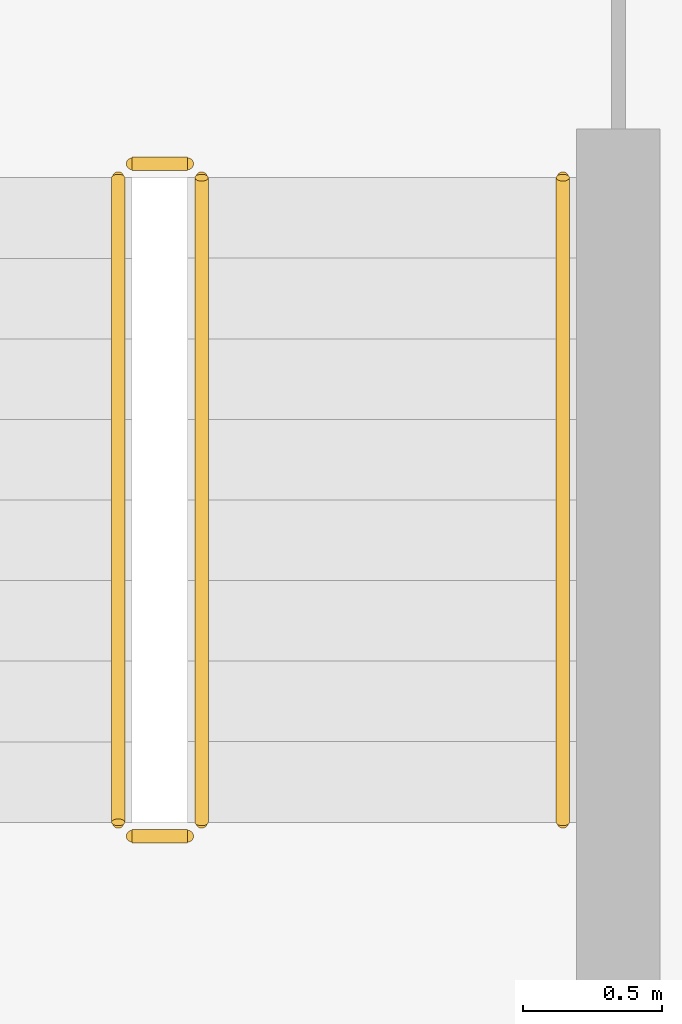
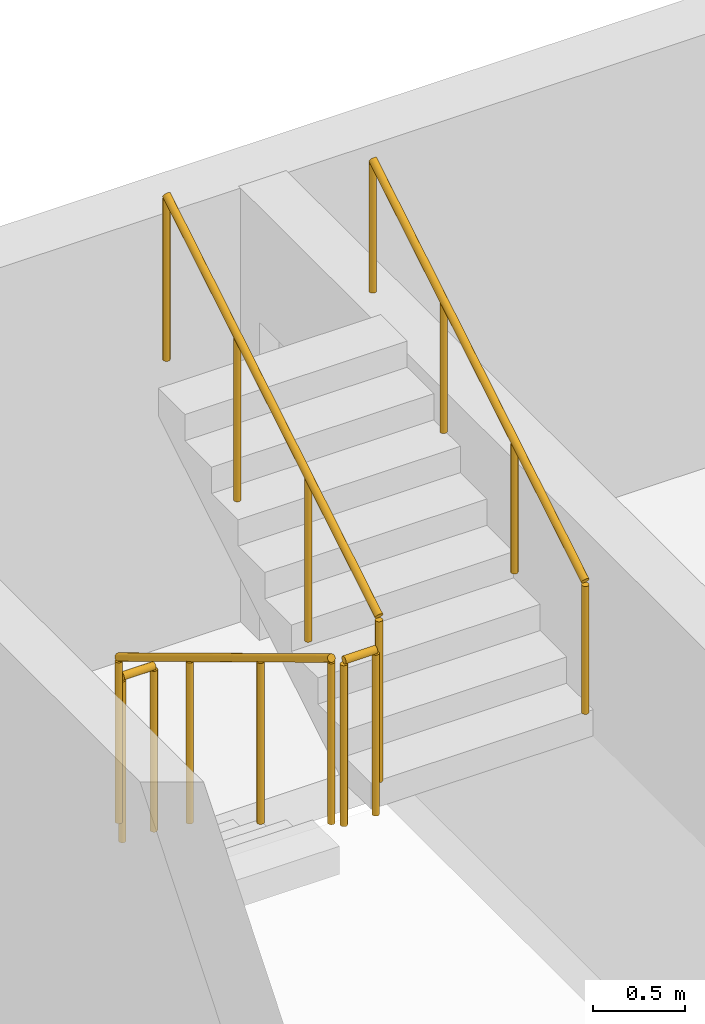
# One storey, part 26 of 28: 5 railings.
"""IFC4 building model written with IfcOpenShell, lengths in metres."""

from ifc_helpers import new_model, si_unit, derived_unit, direction, frame, origin, origin_2d, place, context, subcontext, project, spatial, circle, extrude, material, type_object, element, save


model = new_model("IFC4")

# Units and contexts
model_context = context("Model", 3, precision=1e-05, world=origin(), true_north=direction((0.0, 1.0)))
body_context = subcontext(model_context, "Body", "Model", "MODEL_VIEW")
ifc_project = project(units=[si_unit("LENGTHUNIT", "METRE"), si_unit("AREAUNIT", "SQUARE_METRE"), si_unit("VOLUMEUNIT", "CUBIC_METRE"), si_unit("PLANEANGLEUNIT", "RADIAN"), si_unit("MASSUNIT", "GRAM", prefix="KILO"), derived_unit("THERMALTRANSMITTANCEUNIT", [(si_unit("MASSUNIT", "GRAM", prefix="KILO"), 1), (si_unit("TIMEUNIT", "SECOND"), -3), (si_unit("THERMODYNAMICTEMPERATUREUNIT", "KELVIN"), -1)])], contexts=[model_context])

# Site, building, storey
site_placement = place(None, origin())
site = spatial("IfcSite", under=ifc_project, at=site_placement, CompositionType="ELEMENT")
building_placement = place(site_placement, origin())
building = spatial("IfcBuilding", under=site, at=building_placement, Name="Ochrekiln Boulevard Commons", CompositionType="ELEMENT")
storey_placement = place(building_placement, frame((0.0, 0.0, 34.125)))
storey = spatial("IfcBuildingStorey", under=building, at=storey_placement, Name="L10", CompositionType="ELEMENT", Elevation=34.125)

# Railings
ifc_material = material(Name="Brushed stainless steel 316 tubular railing", Category="steel")
railing_type_1 = type_object("IfcRailingType", Name="RLG-HDR-900", PredefinedType="HANDRAIL", material=ifc_material)
railing_1_placement = place(storey_placement, frame((160.550048828125, 114.610107421875, 1.75)))
element("IfcRailing", 1, at=railing_1_placement, inside=storey, type_object=railing_type_1, Name="L10 ST-B2 stair handrail 2", PredefinedType="HANDRAIL", context=body_context, shape_type="SweptSolid", body=[
    extrude(circle(Radius=0.02392578125, at=origin_2d()), frame((0.0, 0.0, 0.8759765625), z_axis=(0.0, 0.856186286599, 0.516667245565), x_axis=(-1.0, 0.0, 0.0)), (0.0, 0.0, 1.0), 2.70947265625),
    extrude(circle(Radius=0.02099609375, at=origin_2d()), origin(), (0.0, 0.0, 1.0), 0.851806640625),
    extrude(circle(Radius=0.02099609375, at=origin_2d()), frame((0.0, 0.773193359375, 0.466552734375)), (0.0, 0.0, 1.0), 0.851806640625),
    extrude(circle(Radius=0.02099609375, at=origin_2d()), frame((0.0, 1.546630859375, 0.933349609375)), (0.0, 0.0, 1.0), 0.851806640625),
    extrude(circle(Radius=0.02099609375, at=origin_2d()), frame((0.0, 2.31982421875, 1.39990234375)), (0.0, 0.0, 1.0), 0.851806640625),
])
railing_type_2 = type_object("IfcRailingType", Name="RLG-STR-1120", PredefinedType="BALUSTRADE", material=ifc_material)
railing_2_placement = place(storey_placement, frame((158.949951171875, 116.929931640625, 0.175048828125)))
element("IfcRailing", 2, at=railing_2_placement, inside=storey, type_object=railing_type_2, Name="L10 ST-B2 stair guard 1", PredefinedType="BALUSTRADE", context=body_context, shape_type="SweptSolid", body=[
    extrude(circle(Radius=0.02392578125, at=origin_2d()), frame((0.0, 0.0, 1.09619140625), z_axis=(0.0, -0.856186286599, 0.516667245565), x_axis=(1.0, 0.0, 0.0)), (0.0, 0.0, 1.0), 2.70947265625),
    extrude(circle(Radius=0.02099609375, at=origin_2d()), origin(), (0.0, 0.0, 1.0), 1.072021484375),
    extrude(circle(Radius=0.02099609375, at=origin_2d()), frame((0.0, -0.773193359375, 0.466552734375)), (0.0, 0.0, 1.0), 1.072021484375),
    extrude(circle(Radius=0.02099609375, at=origin_2d()), frame((0.0, -1.546630859375, 0.933349609375)), (0.0, 0.0, 1.0), 1.072021484375),
    extrude(circle(Radius=0.02099609375, at=origin_2d()), frame((0.0, -2.31982421875, 1.39990234375)), (0.0, 0.0, 1.0), 1.072021484375),
])
railing_3_placement = place(storey_placement, frame((159.0, 114.56005859375, 1.574951171875)))
element("IfcRailing", 3, at=railing_3_placement, inside=storey, type_object=railing_type_2, Name="L10 ST-B2 stair guard 2", PredefinedType="BALUSTRADE", context=body_context, shape_type="SweptSolid", body=[
    extrude(circle(Radius=0.02392578125, at=origin_2d()), frame((0.0, 0.0, 1.09619140625), z_axis=(1.0, 0.0, 0.0), x_axis=(0.0, 1.0, 0.0)), (0.0, 0.0, 1.0), 0.199951171875),
    extrude(circle(Radius=0.02099609375, at=origin_2d()), origin(), (0.0, 0.0, 1.0), 1.072021484375),
    extrude(circle(Radius=0.02099609375, at=origin_2d()), frame((0.199951171875, 0.0, 0.0)), (0.0, 0.0, 1.0), 1.072021484375),
])
railing_4_placement = place(storey_placement, frame((159.25, 114.610107421875, 1.75)))
element("IfcRailing", 4, at=railing_4_placement, inside=storey, type_object=railing_type_2, Name="L10 ST-B2 stair guard 3", PredefinedType="BALUSTRADE", context=body_context, shape_type="SweptSolid", body=[
    extrude(circle(Radius=0.02392578125, at=origin_2d()), frame((0.0, 0.0, 1.09619140625), z_axis=(0.0, 0.856186286599, 0.516667245565), x_axis=(-1.0, 0.0, 0.0)), (0.0, 0.0, 1.0), 2.70947265625),
    extrude(circle(Radius=0.02099609375, at=origin_2d()), origin(), (0.0, 0.0, 1.0), 1.072021484375),
    extrude(circle(Radius=0.02099609375, at=origin_2d()), frame((0.0, 0.773193359375, 0.466552734375)), (0.0, 0.0, 1.0), 1.072021484375),
    extrude(circle(Radius=0.02099609375, at=origin_2d()), frame((0.0, 1.546630859375, 0.933349609375)), (0.0, 0.0, 1.0), 1.072021484375),
    extrude(circle(Radius=0.02099609375, at=origin_2d()), frame((0.0, 2.31982421875, 1.39990234375)), (0.0, 0.0, 1.0), 1.072021484375),
])
railing_5_placement = place(storey_placement, frame((159.0, 116.97998046875, 0.0)))
element("IfcRailing", 5, at=railing_5_placement, inside=storey, type_object=railing_type_2, Name="L10 ST-B2 stair guard 4", PredefinedType="BALUSTRADE", context=body_context, shape_type="SweptSolid", body=[
    extrude(circle(Radius=0.02392578125, at=origin_2d()), frame((0.0, 0.0, 1.09619140625), z_axis=(1.0, 0.0, 0.0), x_axis=(0.0, 1.0, 0.0)), (0.0, 0.0, 1.0), 0.199951171875),
    extrude(circle(Radius=0.02099609375, at=origin_2d()), origin(), (0.0, 0.0, 1.0), 1.072021484375),
    extrude(circle(Radius=0.02099609375, at=origin_2d()), frame((0.199951171875, 0.0, 0.0)), (0.0, 0.0, 1.0), 1.072021484375),
])

save(model, "model.ifc")
